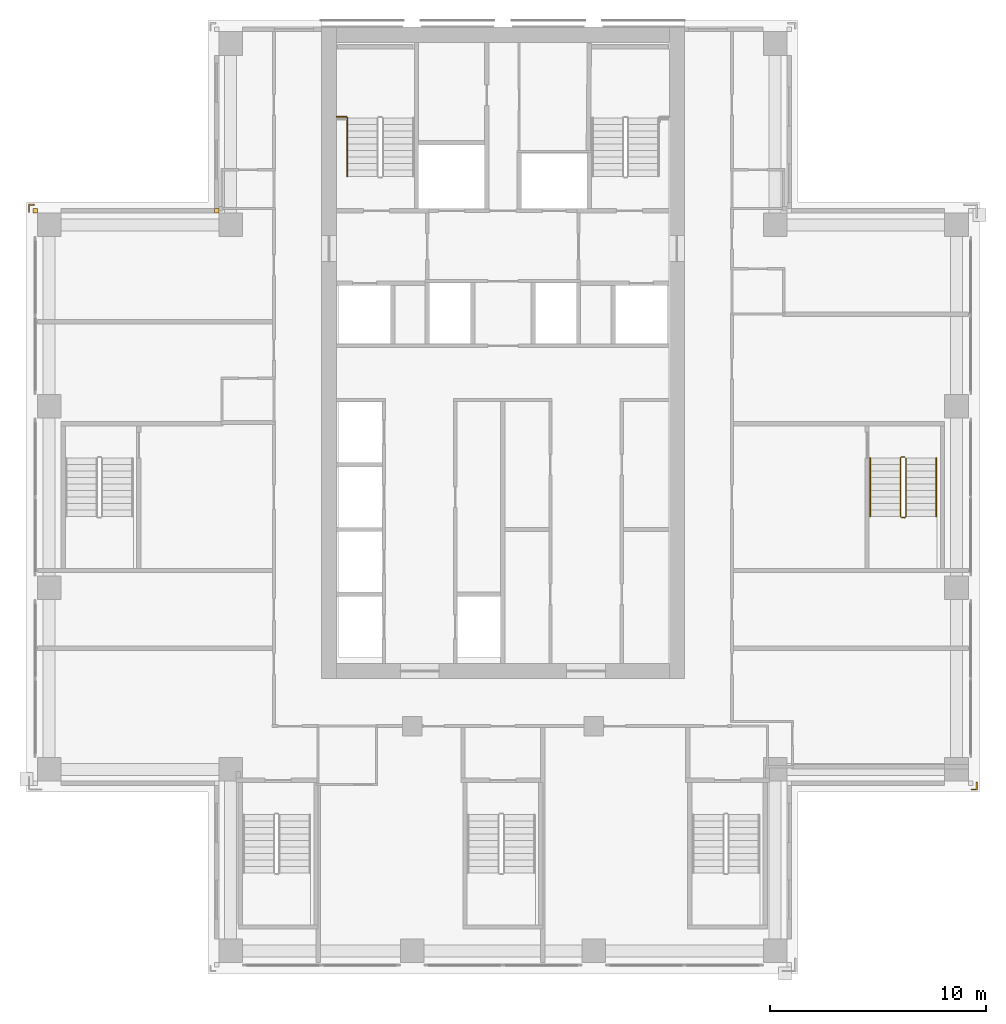
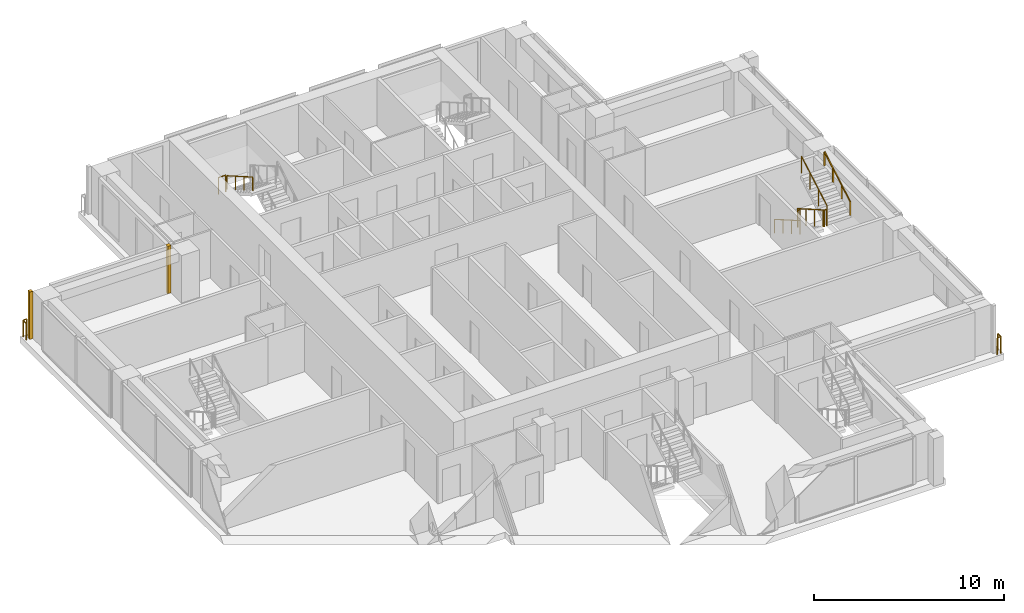
# One storey, part 15 of 16: 7 railings, 2 coverings.
"""IFC4 building model written with IfcOpenShell, lengths in metres."""

from ifc_helpers import new_model, si_unit, direction, frame, origin, origin_2d, place, context, subcontext, project, spatial, polyline, rectangle, outline, extrude, material, type_object, element, save


model = new_model("IFC4")

# Units and contexts
model_context = context("Model", 3, precision=1e-05, world=origin(), true_north=direction((0.0, 1.0)))
body_context = subcontext(model_context, "Body", "Model", "MODEL_VIEW")
ifc_project = project(units=[si_unit("LENGTHUNIT", "METRE"), si_unit("AREAUNIT", "SQUARE_METRE"), si_unit("VOLUMEUNIT", "CUBIC_METRE"), si_unit("PLANEANGLEUNIT", "RADIAN"), si_unit("MASSUNIT", "GRAM", prefix="KILO")], contexts=[model_context])

# Site, building, storey
site_placement = place(None, origin())
site = spatial("IfcSite", under=ifc_project, at=site_placement, CompositionType="ELEMENT")
building_placement = place(site_placement, origin())
building = spatial("IfcBuilding", under=site, at=building_placement, Name="Vermilion Ogive Tower", CompositionType="ELEMENT")
storey_placement = place(building_placement, frame((0.0, 0.0, 146.89990234375)))
storey = spatial("IfcBuildingStorey", under=building, at=storey_placement, Name="L37", CompositionType="ELEMENT", Elevation=146.89990234375)

# Railings
ifc_material_1 = material(Name="Stainless steel", Category="steel")
railing_type_1 = type_object("IfcRailingType", Name="Slab edge guard SG1", PredefinedType="GUARDRAIL", material=ifc_material_1)
railing_1_placement = place(storey_placement, frame((-21.929931640625, 13.199951171875, 0.0)))
element("IfcRailing", 1, at=railing_1_placement, inside=storey, type_object=railing_type_1, Name="L37 slab corner guard", PredefinedType="GUARDRAIL", context=body_context, shape_type="SweptSolid", body=[
    extrude(rectangle(XDim=0.050048828125, YDim=0.050048828125, at=origin_2d()), frame((0.0, 0.0, 1.0751953125), z_axis=(0.0, 1.0, 0.0), x_axis=(-1.0, 0.0, 0.0)), (0.0, 0.0, 1.0), 0.330078125),
    extrude(rectangle(XDim=0.050048828125, YDim=0.050048828125, at=origin_2d()), frame((0.0, 0.330078125, 1.0751953125), z_axis=(1.0, 0.0, 0.0), x_axis=(0.0, 1.0, 0.0)), (0.0, 0.0, 1.0), 0.22998046875),
    extrude(rectangle(XDim=0.050048828125, YDim=0.050048828125, at=origin_2d()), origin(), (0.0, 0.0, 1.0), 1.050048828125),
    extrude(rectangle(XDim=0.050048828125, YDim=0.050048828125, at=origin_2d()), frame((0.0, 0.330078125, 0.0)), (0.0, 0.0, 1.0), 1.050048828125),
    extrude(rectangle(XDim=0.050048828125, YDim=0.050048828125, at=origin_2d()), frame((0.22998046875, 0.330078125, 0.0)), (0.0, 0.0, 1.0), 1.050048828125),
])
railing_2_placement = place(storey_placement, frame((21.929931640625, -13.199951171875, 0.0)))
element("IfcRailing", 2, at=railing_2_placement, inside=storey, type_object=railing_type_1, Name="L37 slab corner guard", PredefinedType="GUARDRAIL", context=body_context, shape_type="SweptSolid", body=[
    extrude(rectangle(XDim=0.050048828125, YDim=0.050048828125, at=origin_2d()), frame((0.0, 0.0, 1.0751953125), z_axis=(0.0, -1.0, 0.0), x_axis=(1.0, 0.0, 0.0)), (0.0, 0.0, 1.0), 0.330078125),
    extrude(rectangle(XDim=0.050048828125, YDim=0.050048828125, at=origin_2d()), frame((0.0, -0.330078125, 1.0751953125), z_axis=(-1.0, 0.0, 0.0), x_axis=(0.0, -1.0, 0.0)), (0.0, 0.0, 1.0), 0.22998046875),
    extrude(rectangle(XDim=0.050048828125, YDim=0.050048828125, at=origin_2d()), origin(), (0.0, 0.0, 1.0), 1.050048828125),
    extrude(rectangle(XDim=0.050048828125, YDim=0.050048828125, at=origin_2d()), frame((0.0, -0.330078125, 0.0)), (0.0, 0.0, 1.0), 1.050048828125),
    extrude(rectangle(XDim=0.050048828125, YDim=0.050048828125, at=origin_2d()), frame((-0.22998046875, -0.330078125, 0.0)), (0.0, 0.0, 1.0), 1.050048828125),
])
ifc_material_2 = material(Name="Steel S355 painted", Category="steel")
railing_type_2 = type_object("IfcRailingType", Name="Stair guard 1100", PredefinedType="GUARDRAIL", material=ifc_material_2)
railing_3_placement = place(storey_placement, frame((18.60009765625, 1.85009765625, 0.0)))
element("IfcRailing", 3, at=railing_3_placement, inside=storey, type_object=railing_type_2, Name="L37 ST8 stair guard 4", PredefinedType="GUARDRAIL", context=body_context, shape_type="SweptSolid", body=[
    extrude(rectangle(XDim=0.048095703125, YDim=0.048095703125, at=origin_2d()), frame((0.0, 0.0, 1.076171875), z_axis=(-1.0, 0.0, 0.0), x_axis=(0.0, -1.0, 0.0)), (0.0, 0.0, 1.0), 0.150146484375),
    extrude(rectangle(XDim=0.048095703125, YDim=0.048095703125, at=origin_2d()), frame((-0.150146484375, 0.0, 1.076171875), z_axis=(-0.268277960024, -0.268277960024, 0.925231793839), x_axis=(0.707106781187, -0.707106781187, 0.0)), (0.0, 0.0, 1.0), 0.1865234375),
    extrude(rectangle(XDim=0.048095703125, YDim=0.048095703125, at=origin_2d()), frame((-0.2001953125, -0.050048828125, 1.24853515625), z_axis=(0.0, -0.866903762492, 0.498475542607), x_axis=(1.0, 0.0, 0.0)), (0.0, 0.0, 1.0), 3.114501953125),
    extrude(rectangle(XDim=0.048095703125, YDim=0.048095703125, at=origin_2d()), frame((-0.2001953125, -2.75, 2.80126953125), z_axis=(0.707106781187, -0.707106781187, 0.0), x_axis=(0.707106781187, 0.707106781187, 0.0)), (0.0, 0.0, 1.0), 0.07080078125),
    extrude(rectangle(XDim=0.048095703125, YDim=0.048095703125, at=origin_2d()), frame((-0.150146484375, -2.800048828125, 2.80126953125), z_axis=(1.0, 0.0, 0.0), x_axis=(0.0, 1.0, 0.0)), (0.0, 0.0, 1.0), 0.150146484375),
    extrude(rectangle(XDim=0.048095703125, YDim=0.048095703125, at=origin_2d()), frame((0.0, -2.800048828125, 2.80126953125), z_axis=(0.267062837333, 0.268371968888, 0.925556009775), x_axis=(-0.708833529934, 0.705375805398, 0.0)), (0.0, 0.0, 1.0), 0.1865234375),
    extrude(rectangle(XDim=0.048095703125, YDim=0.048095703125, at=origin_2d()), frame((0.0498046875, -2.75, 2.9736328125), z_axis=(0.0, 0.866903762492, 0.498475542607), x_axis=(-1.0, 0.0, 0.0)), (0.0, 0.0, 1.0), 3.114501953125),
    extrude(rectangle(XDim=0.0419921875, YDim=0.0419921875, at=origin_2d()), origin(), (0.0, 0.0, 1.0), 1.052001953125),
    extrude(rectangle(XDim=0.0419921875, YDim=0.0419921875, at=origin_2d()), frame((-0.150146484375, 0.0, 0.0)), (0.0, 0.0, 1.0), 1.052001953125),
    extrude(rectangle(XDim=0.0419921875, YDim=0.0419921875, at=origin_2d()), frame((-0.2001953125, -0.050048828125, 0.172607421875)), (0.0, 0.0, 1.0), 1.052001953125),
    extrude(rectangle(XDim=0.0419921875, YDim=0.0419921875, at=origin_2d()), frame((-0.2001953125, -0.949951171875, 0.690185546875)), (0.0, 0.0, 1.0), 1.052001953125),
    extrude(rectangle(XDim=0.0419921875, YDim=0.0419921875, at=origin_2d()), frame((-0.2001953125, -1.85009765625, 1.20751953125)), (0.0, 0.0, 1.0), 1.052001953125),
    extrude(rectangle(XDim=0.0419921875, YDim=0.0419921875, at=origin_2d()), frame((-0.2001953125, -2.75, 1.72509765625)), (0.0, 0.0, 1.0), 1.052001953125),
    extrude(rectangle(XDim=0.0419921875, YDim=0.0419921875, at=origin_2d()), frame((-0.150146484375, -2.800048828125, 1.72509765625)), (0.0, 0.0, 1.0), 1.052001953125),
    extrude(rectangle(XDim=0.0419921875, YDim=0.0419921875, at=origin_2d()), frame((0.0, -2.800048828125, 1.72509765625)), (0.0, 0.0, 1.0), 1.052001953125),
    extrude(rectangle(XDim=0.0419921875, YDim=0.0419921875, at=origin_2d()), frame((0.0498046875, -2.75, 1.897705078125)), (0.0, 0.0, 1.0), 1.052001953125),
    extrude(rectangle(XDim=0.0419921875, YDim=0.0419921875, at=origin_2d()), frame((0.0498046875, -1.85009765625, 2.415283203125)), (0.0, 0.0, 1.0), 1.052001953125),
    extrude(rectangle(XDim=0.0419921875, YDim=0.0419921875, at=origin_2d()), frame((0.0498046875, -0.949951171875, 2.9326171875)), (0.0, 0.0, 1.0), 1.052001953125),
    extrude(rectangle(XDim=0.0419921875, YDim=0.0419921875, at=origin_2d()), frame((0.0498046875, -0.050048828125, 3.4501953125)), (0.0, 0.0, 1.0), 1.052001953125),
])
railing_4_placement = place(storey_placement, frame((-7.699951171875, 17.60009765625, 1.72509765625)))
element("IfcRailing", 4, at=railing_4_placement, inside=storey, type_object=railing_type_2, Name="L37 landing guard", PredefinedType="GUARDRAIL", context=body_context, shape_type="SweptSolid", body=[
    extrude(rectangle(XDim=0.048095703125, YDim=0.048095703125, at=origin_2d()), frame((0.0, 0.0, 1.076171875), z_axis=(1.0, 0.0, 0.0), x_axis=(0.0, 1.0, 0.0)), (0.0, 0.0, 1.0), 0.449951171875),
    extrude(rectangle(XDim=0.0419921875, YDim=0.0419921875, at=origin_2d()), origin(), (0.0, 0.0, 1.0), 1.052001953125),
    extrude(rectangle(XDim=0.0419921875, YDim=0.0419921875, at=origin_2d()), frame((0.449951171875, 0.0, 0.0)), (0.0, 0.0, 1.0), 1.052001953125),
])
ifc_material_3 = material(Name="Stainless steel", Category="steel")
railing_type_3 = type_object("IfcRailingType", Name="Stair handrail 900", PredefinedType="HANDRAIL", material=ifc_material_3)
for number, where, name in (
    (5, (-7.199951171875, 17.550048828125, 1.897705078125), "L37 ST1 stair handrail 2"),
    (6, (17.0, 1.800048828125, 0.172607421875), "L37 ST8 stair handrail 1"),
):
    element("IfcRailing", number, at=place(storey_placement, frame(where)), inside=storey, type_object=railing_type_3, Name=name, PredefinedType="HANDRAIL", context=body_context, shape_type="SweptSolid", body=[
        extrude(rectangle(XDim=0.048095703125, YDim=0.048095703125, at=origin_2d()), frame((0.0, 0.0, 0.8759765625), z_axis=(0.0, -0.866903762492, 0.498475542607), x_axis=(1.0, 0.0, 0.0)), (0.0, 0.0, 1.0), 3.114501953125),
        extrude(rectangle(XDim=0.0419921875, YDim=0.0419921875, at=origin_2d()), origin(), (0.0, 0.0, 1.0), 0.851806640625),
        extrude(rectangle(XDim=0.0419921875, YDim=0.0419921875, at=origin_2d()), frame((0.0, -0.89990234375, 0.517578125)), (0.0, 0.0, 1.0), 0.851806640625),
        extrude(rectangle(XDim=0.0419921875, YDim=0.0419921875, at=origin_2d()), frame((0.0, -1.800048828125, 1.034912109375)), (0.0, 0.0, 1.0), 0.851806640625),
        extrude(rectangle(XDim=0.0419921875, YDim=0.0419921875, at=origin_2d()), frame((0.0, -2.699951171875, 1.552490234375)), (0.0, 0.0, 1.0), 0.851806640625),
    ])
railing_5_placement = place(storey_placement, frame((20.050048828125, -0.89990234375, 1.897705078125)))
element("IfcRailing", 7, at=railing_5_placement, inside=storey, type_object=railing_type_3, Name="L37 ST8 stair handrail 2", PredefinedType="HANDRAIL", context=body_context, shape_type="SweptSolid", body=[
    extrude(rectangle(XDim=0.048095703125, YDim=0.048095703125, at=origin_2d()), frame((0.0, 0.0, 0.8759765625), z_axis=(0.0, 0.866903762492, 0.498475542607), x_axis=(-1.0, 0.0, 0.0)), (0.0, 0.0, 1.0), 3.114501953125),
    extrude(rectangle(XDim=0.0419921875, YDim=0.0419921875, at=origin_2d()), origin(), (0.0, 0.0, 1.0), 0.851806640625),
    extrude(rectangle(XDim=0.0419921875, YDim=0.0419921875, at=origin_2d()), frame((0.0, 0.89990234375, 0.517578125)), (0.0, 0.0, 1.0), 0.851806640625),
    extrude(rectangle(XDim=0.0419921875, YDim=0.0419921875, at=origin_2d()), frame((0.0, 1.800048828125, 1.034912109375)), (0.0, 0.0, 1.0), 0.851806640625),
    extrude(rectangle(XDim=0.0419921875, YDim=0.0419921875, at=origin_2d()), frame((0.0, 2.699951171875, 1.552490234375)), (0.0, 0.0, 1.0), 0.851806640625),
])

# Coverings
ifc_material_4 = material(Name="Stone cladding", Category="masonry")
covering_type = type_object("IfcCoveringType", Name="Stone pier", PredefinedType="CLADDING", material=ifc_material_4)
covering_1_placement = place(storey_placement, origin())
element("IfcCovering", 8, at=covering_1_placement, inside=storey, type_object=covering_type, Name="Stone corner pier X5E1", PredefinedType="CLADDING", context=body_context, shape_type="SweptSolid", body=[
    extrude(outline(polyline([(-13.14990234375, 13.14990234375), (-13.35009765625, 13.14990234375), (-13.35009765625, 13.35009765625), (-13.14990234375, 13.35009765625), (-13.14990234375, 13.14990234375)])), origin(), (0.0, 0.0, 1.0), 3.050048828125),
])
covering_2_placement = place(storey_placement, origin())
element("IfcCovering", 9, at=covering_2_placement, inside=storey, type_object=covering_type, Name="Stone corner pier X6E1", PredefinedType="CLADDING", context=body_context, shape_type="SweptSolid", body=[
    extrude(outline(polyline([(-21.550048828125, 13.35009765625), (-21.550048828125, 13.14990234375), (-21.75, 13.14990234375), (-21.75, 13.35009765625), (-21.550048828125, 13.35009765625)])), origin(), (0.0, 0.0, 1.0), 3.050048828125),
])

save(model, "model.ifc")
